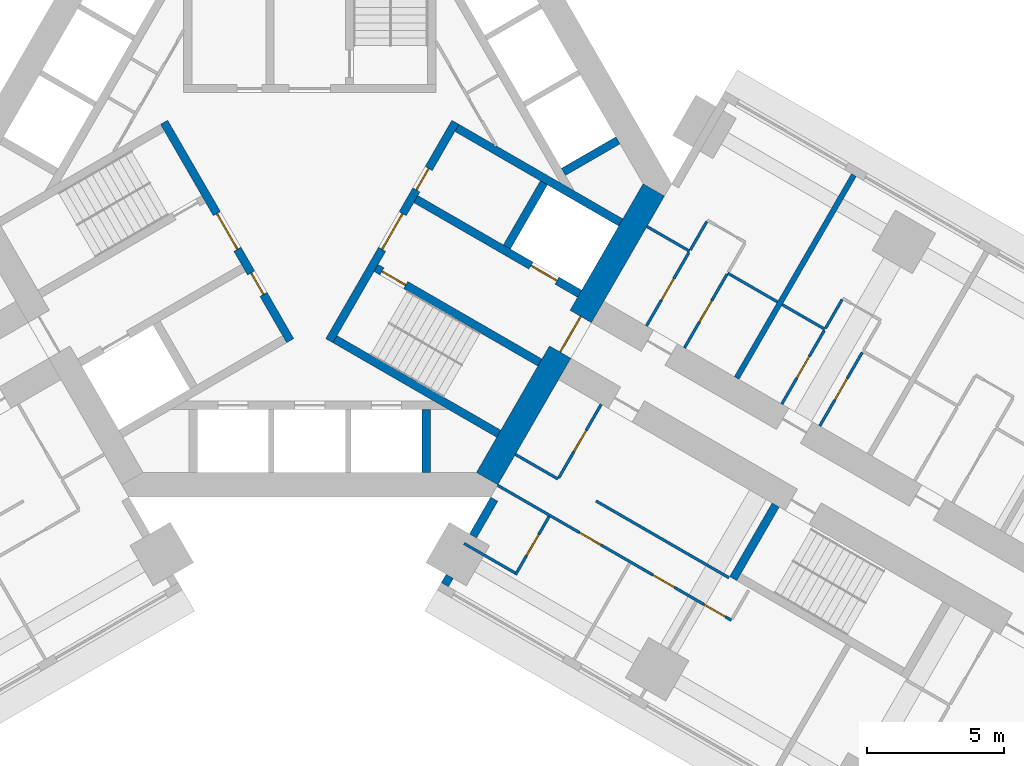
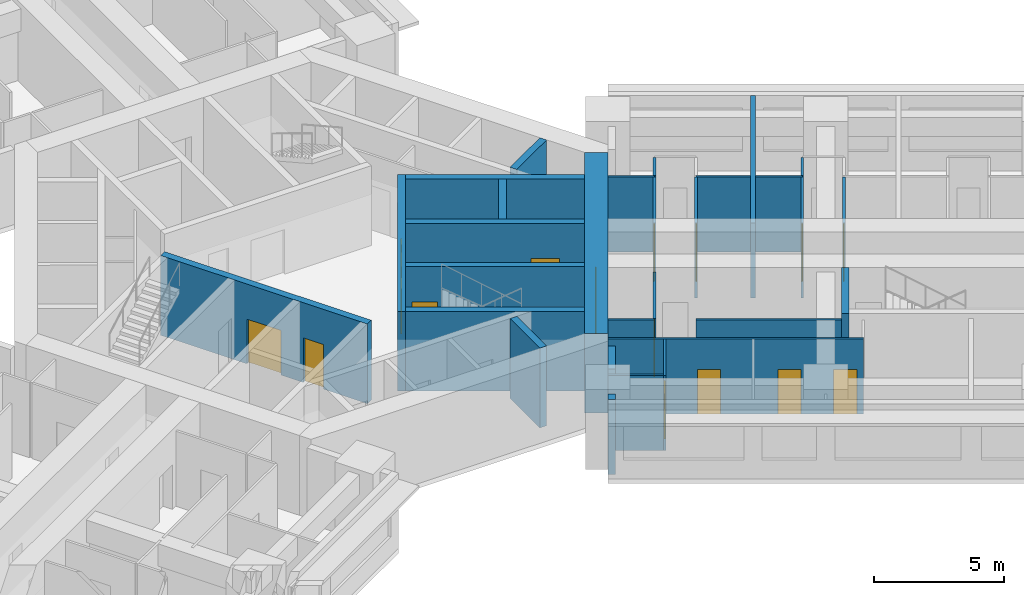
# One storey, part 7 of 16: 29 walls, 16 doors, 16 openings.
"""IFC4 building model written with IfcOpenShell, lengths in metres."""

from ifc_helpers import new_model, si_unit, direction, frame, frame_2d, origin, place, context, subcontext, project, spatial, rectangle, extrude, material, layer, layer_set, type_object, element, fill, save


model = new_model("IFC4")

# Units and contexts
model_context = context("Model", 3, precision=1e-05, world=origin(), true_north=direction((0.0, 1.0)))
body_context = subcontext(model_context, "Body", "Model", "MODEL_VIEW")
ifc_project = project(units=[si_unit("LENGTHUNIT", "METRE"), si_unit("AREAUNIT", "SQUARE_METRE"), si_unit("VOLUMEUNIT", "CUBIC_METRE"), si_unit("PLANEANGLEUNIT", "RADIAN"), si_unit("MASSUNIT", "GRAM", prefix="KILO")], contexts=[model_context])

# Site, building, storey
site_placement = place(None, origin())
site = spatial("IfcSite", under=ifc_project, at=site_placement, CompositionType="ELEMENT")
building_placement = place(site_placement, origin())
building = spatial("IfcBuilding", under=site, at=building_placement, Name="Impinga Residences", CompositionType="ELEMENT")
storey_placement = place(building_placement, frame((0.0, 0.0, 41.0)))
storey = spatial("IfcBuildingStorey", under=building, at=storey_placement, Name="L09", CompositionType="ELEMENT", Elevation=41.0)

# Walls
ifc_material_1 = material(Name="Terracotta rainscreen on blockwork", Category="masonry")
ifc_layer_1 = layer(ifc_material_1, 0.300048828125)
ifc_layer_set_1 = layer_set([ifc_layer_1], Name="EW1 external wall, terracotta rainscreen on blockwork 300")
wall_type_1 = type_object("IfcWallType", Name="EW1 external wall, terracotta rainscreen on blockwork 300", PredefinedType="SOLIDWALL", material=ifc_layer_set_1)
wall_1_placement = place(storey_placement, frame((4.929931640625, -14.624267578125, 0.0), z_axis=(0.0, 0.0, 1.0), x_axis=(0.49996389635, 0.866046247233, 0.0)))
element("IfcWall", 1, at=wall_1_placement, inside=storey, type_object=wall_type_1, Name="External wall EW1 L09", PredefinedType="SOLIDWALL", context=body_context, shape_type="SweptSolid", body=[
    extrude(rectangle(XDim=0.35009765625, YDim=0.300048828125, at=frame_2d((0.175048828125, 0.0))), origin(), (0.0, 0.0, 1.0), 3.530029296875),
])
wall_2_placement = place(storey_placement, frame((5.954833984375, -12.848876953125, 0.0), z_axis=(0.0, 0.0, 1.0), x_axis=(0.500086022567, 0.865975732936, 0.0)))
element("IfcWall", 2, at=wall_2_placement, inside=storey, type_object=wall_type_1, Name="External wall EW1 L09", PredefinedType="SOLIDWALL", context=body_context, shape_type="SweptSolid", body=[
    extrude(rectangle(XDim=1.550048828125, YDim=0.300048828125, at=frame_2d((0.77490234375, 0.0))), origin(), (0.0, 0.0, 1.0), 3.530029296875),
])
ifc_material_2 = material(Name="Gypsum board on steel studs", Category="steel")
ifc_layer_2 = layer(ifc_material_2, 0.10009765625)
ifc_layer_set_2 = layer_set([ifc_layer_2], Name="Gypsum board on steel studs")
wall_type_2 = type_object("IfcWallType", Name="IP1 partition 100", PredefinedType="PARTITIONING", material=ifc_layer_set_2)
wall_3_placement = place(storey_placement, frame((12.300048828125, -1.558837890625, 0.0), z_axis=(0.0, 0.0, 1.0), x_axis=(0.866047807691, -0.499961193289, 0.0)))
element("IfcWall", 3, at=wall_3_placement, inside=storey, type_object=wall_type_2, Name="Partition L09-EA1:DIV0", PredefinedType="PARTITIONING", context=body_context, shape_type="SweptSolid", body=[
    extrude(rectangle(XDim=1.800048828125, YDim=0.10009765625, at=frame_2d((0.89990234375, 0.0))), origin(), (0.0, 0.0, 1.0), 3.530029296875),
])
wall_4_placement = place(storey_placement, frame((15.244384765625, -3.2587890625, 0.0), z_axis=(0.0, 0.0, 1.0), x_axis=(0.866038466041, -0.499977374825, 0.0)))
element("IfcWall", 4, at=wall_4_placement, inside=storey, type_object=wall_type_2, Name="Partition L09-EA1:DIV1", PredefinedType="PARTITIONING", context=body_context, shape_type="SweptSolid", body=[
    extrude(rectangle(XDim=2.10009765625, YDim=0.10009765625, at=frame_2d((1.050048828125, 0.0))), origin(), (0.0, 0.0, 1.0), 3.530029296875),
])
wall_5_placement = place(storey_placement, frame((13.8837890625, -2.41552734375, 0.0), z_axis=(0.0, 0.0, 1.0), x_axis=(0.500033551112, 0.866006032174, 0.0)))
element("IfcWall", 5, at=wall_5_placement, inside=storey, type_object=wall_type_2, Name="Partition L09-EA1:SE0", PredefinedType="PARTITIONING", context=body_context, shape_type="SweptSolid", body=[
    extrude(rectangle(XDim=1.2001953125, YDim=0.10009765625, at=frame_2d((0.60009765625, 0.0))), origin(), (0.0, 0.0, 1.0), 3.530029296875),
])

# Wall, opening, door
wall_6_placement = place(storey_placement, frame((12.283935546875, -5.186767578125, 0.0), z_axis=(0.0, 0.0, 1.0), x_axis=(0.499967891604, 0.866043940782, 0.0)))
wall_6 = element("IfcWall", 6, at=wall_6_placement, inside=storey, type_object=wall_type_2, Name="Partition L09-EA1:IB1", PredefinedType="PARTITIONING", context=body_context, shape_type="SweptSolid", body=[
    extrude(rectangle(XDim=3.099853515625, YDim=0.10009765625, at=frame_2d((1.5498046875, 0.0))), origin(), (0.0, 0.0, 1.0), 3.530029296875),
])
opening_1_placement = place(wall_6_placement, frame((1.10009765625, 0.0, 0.0)))
opening_1 = element("IfcOpeningElement", 7, at=opening_1_placement, cuts=wall_6, Name="Opening D2", PredefinedType="OPENING", context=body_context, shape_type="SweptSolid", body=[
    extrude(rectangle(XDim=0.89990234375, YDim=2.10009765625, at=frame_2d((0.449951171875, 1.050048828125))), frame((0.0, 0.06005859375, 0.0), z_axis=(0.0, -1.0, 0.0), x_axis=(1.0, 0.0, 0.0)), (0.0, 0.0, 1.0), 0.1201171875),
])
ifc_material_3 = material(Name="Timber door set", Category="wood")
door_type_1 = type_object("IfcDoorType", Name="D2 internal door 900x2100", OperationType="SINGLE_SWING_LEFT", PredefinedType="DOOR", material=ifc_material_3)
door_1_placement = place(opening_1_placement, origin())
door_1 = element("IfcDoor", 8, at=door_1_placement, inside=storey, type_object=door_type_1, Name="Apartment L09-EA1 bathroom door", OperationType="SINGLE_SWING_LEFT", OverallHeight=2.10009765625, OverallWidth=0.89990234375, PredefinedType="DOOR", context=body_context, shape_type="SweptSolid", body=[
    extrude(rectangle(XDim=0.89990234375, YDim=2.10009765625, at=frame_2d((0.449951171875, 1.050048828125))), frame((0.0, 0.02490234375, 0.0), z_axis=(0.0, -1.0, 0.0), x_axis=(1.0, 0.0, 0.0)), (0.0, 0.0, 1.0), 0.050048828125),
])
fill(opening_1, door_1)

wall_7_placement = place(storey_placement, frame((13.66943359375, -5.98681640625, 0.0), z_axis=(0.0, 0.0, 1.0), x_axis=(0.500026960575, 0.86600983753, 0.0)))
wall_7 = element("IfcWall", 9, at=wall_7_placement, inside=storey, type_object=wall_type_2, Name="Partition L09-EA1:IB2", PredefinedType="PARTITIONING", context=body_context, shape_type="SweptSolid", body=[
    extrude(rectangle(XDim=3.099853515625, YDim=0.10009765625, at=frame_2d((1.5498046875, 0.0))), origin(), (0.0, 0.0, 1.0), 3.530029296875),
])
opening_2_placement = place(wall_7_placement, frame((1.10009765625, 0.0, 0.0)))
opening_2 = element("IfcOpeningElement", 10, at=opening_2_placement, cuts=wall_7, Name="Opening D2", PredefinedType="OPENING", context=body_context, shape_type="SweptSolid", body=[
    extrude(rectangle(XDim=0.89990234375, YDim=2.10009765625, at=frame_2d((0.449951171875, 1.050048828125))), frame((0.0, 0.06005859375, 0.0), z_axis=(0.0, -1.0, 0.0), x_axis=(1.0, 0.0, 0.0)), (0.0, 0.0, 1.0), 0.1201171875),
])
door_2_placement = place(opening_2_placement, origin())
door_2 = element("IfcDoor", 11, at=door_2_placement, inside=storey, type_object=door_type_1, Name="Apartment L09-EA1 WC door", OperationType="SINGLE_SWING_LEFT", OverallHeight=2.10009765625, OverallWidth=0.89990234375, PredefinedType="DOOR", context=body_context, shape_type="SweptSolid", body=[
    extrude(rectangle(XDim=0.89990234375, YDim=2.10009765625, at=frame_2d((0.449951171875, 1.050048828125))), frame((0.0, 0.02490234375, 0.0), z_axis=(0.0, -1.0, 0.0), x_axis=(1.0, 0.0, 0.0)), (0.0, 0.0, 1.0), 0.050048828125),
])
fill(opening_2, door_2)

# Walls
wall_8_placement = place(storey_placement, frame((17.236328125, -4.408935546875, 0.0), z_axis=(0.0, 0.0, 1.0), x_axis=(0.866047807691, -0.499961193289, 0.0)))
element("IfcWall", 12, at=wall_8_placement, inside=storey, type_object=wall_type_2, Name="Partition L09-EA2:DIV0", PredefinedType="PARTITIONING", context=body_context, shape_type="SweptSolid", body=[
    extrude(rectangle(XDim=1.800048828125, YDim=0.10009765625, at=frame_2d((0.89990234375, 0.0))), origin(), (0.0, 0.0, 1.0), 3.530029296875),
])
wall_9_placement = place(storey_placement, frame((18.8203125, -5.265625, 0.0), z_axis=(0.0, 0.0, 1.0), x_axis=(0.499880961361, 0.866094119867, 0.0)))
element("IfcWall", 13, at=wall_9_placement, inside=storey, type_object=wall_type_2, Name="Partition L09-EA2:SE0", PredefinedType="PARTITIONING", context=body_context, shape_type="SweptSolid", body=[
    extrude(rectangle(XDim=1.199951171875, YDim=0.10009765625, at=frame_2d((0.60009765625, 0.0))), origin(), (0.0, 0.0, 1.0), 3.530029296875),
])

# Wall, opening, door
wall_10_placement = place(storey_placement, frame((17.22021484375, -8.036865234375, 0.0), z_axis=(0.0, 0.0, 1.0), x_axis=(0.49999285859, 0.86602952684, 0.0)))
wall_10 = element("IfcWall", 14, at=wall_10_placement, inside=storey, type_object=wall_type_2, Name="Partition L09-EA2:IB1", PredefinedType="PARTITIONING", context=body_context, shape_type="SweptSolid", body=[
    extrude(rectangle(XDim=3.10009765625, YDim=0.10009765625, at=frame_2d((1.550048828125, 0.0))), origin(), (0.0, 0.0, 1.0), 3.530029296875),
])
opening_3_placement = place(wall_10_placement, frame((1.10009765625, 0.0, 0.0)))
opening_3 = element("IfcOpeningElement", 15, at=opening_3_placement, cuts=wall_10, Name="Opening D2", PredefinedType="OPENING", context=body_context, shape_type="SweptSolid", body=[
    extrude(rectangle(XDim=0.89990234375, YDim=2.10009765625, at=frame_2d((0.449951171875, 1.050048828125))), frame((0.0, 0.06005859375, 0.0), z_axis=(0.0, -1.0, 0.0), x_axis=(1.0, 0.0, 0.0)), (0.0, 0.0, 1.0), 0.1201171875),
])
door_3_placement = place(opening_3_placement, origin())
door_3 = element("IfcDoor", 16, at=door_3_placement, inside=storey, type_object=door_type_1, Name="Apartment L09-EA2 bathroom door", OperationType="SINGLE_SWING_LEFT", OverallHeight=2.10009765625, OverallWidth=0.89990234375, PredefinedType="DOOR", context=body_context, shape_type="SweptSolid", body=[
    extrude(rectangle(XDim=0.89990234375, YDim=2.10009765625, at=frame_2d((0.449951171875, 1.050048828125))), frame((0.0, 0.02490234375, 0.0), z_axis=(0.0, -1.0, 0.0), x_axis=(1.0, 0.0, 0.0)), (0.0, 0.0, 1.0), 0.050048828125),
])
fill(opening_3, door_3)

wall_11_placement = place(storey_placement, frame((18.605712890625, -8.8369140625, 0.0), z_axis=(0.0, 0.0, 1.0), x_axis=(0.49999285859, 0.86602952684, 0.0)))
wall_11 = element("IfcWall", 17, at=wall_11_placement, inside=storey, type_object=wall_type_2, Name="Partition L09-EA2:IB2", PredefinedType="PARTITIONING", context=body_context, shape_type="SweptSolid", body=[
    extrude(rectangle(XDim=3.10009765625, YDim=0.10009765625, at=frame_2d((1.550048828125, 0.0))), origin(), (0.0, 0.0, 1.0), 3.530029296875),
])
opening_4_placement = place(wall_11_placement, frame((1.10009765625, 0.0, 0.0)))
opening_4 = element("IfcOpeningElement", 18, at=opening_4_placement, cuts=wall_11, Name="Opening D2", PredefinedType="OPENING", context=body_context, shape_type="SweptSolid", body=[
    extrude(rectangle(XDim=0.89990234375, YDim=2.10009765625, at=frame_2d((0.449951171875, 1.050048828125))), frame((0.0, 0.06005859375, 0.0), z_axis=(0.0, -1.0, 0.0), x_axis=(1.0, 0.0, 0.0)), (0.0, 0.0, 1.0), 0.1201171875),
])
door_4_placement = place(opening_4_placement, origin())
door_4 = element("IfcDoor", 19, at=door_4_placement, inside=storey, type_object=door_type_1, Name="Apartment L09-EA2 WC door", OperationType="SINGLE_SWING_LEFT", OverallHeight=2.10009765625, OverallWidth=0.89990234375, PredefinedType="DOOR", context=body_context, shape_type="SweptSolid", body=[
    extrude(rectangle(XDim=0.89990234375, YDim=2.10009765625, at=frame_2d((0.449951171875, 1.050048828125))), frame((0.0, 0.02490234375, 0.0), z_axis=(0.0, -1.0, 0.0), x_axis=(1.0, 0.0, 0.0)), (0.0, 0.0, 1.0), 0.050048828125),
])
fill(opening_4, door_4)

# Walls
wall_12_placement = place(storey_placement, frame((7.5, -9.872802734375, 0.0), z_axis=(0.0, 0.0, 1.0), x_axis=(0.866047807691, -0.499961193289, 0.0)))
element("IfcWall", 20, at=wall_12_placement, inside=storey, type_object=wall_type_2, Name="Partition L09-EF1:DIV0", PredefinedType="PARTITIONING", context=body_context, shape_type="SweptSolid", body=[
    extrude(rectangle(XDim=1.800048828125, YDim=0.10009765625, at=frame_2d((0.89990234375, 0.0))), origin(), (0.0, 0.0, 1.0), 3.530029296875),
])
wall_13_placement = place(storey_placement, frame((10.444580078125, -11.57275390625, 0.0), z_axis=(0.0, 0.0, 1.0), x_axis=(0.866015695474, -0.500016814911, 0.0)))
element("IfcWall", 21, at=wall_13_placement, inside=storey, type_object=wall_type_2, Name="Partition L09-EF1:DIV1", PredefinedType="PARTITIONING", context=body_context, shape_type="SweptSolid", body=[
    extrude(rectangle(XDim=5.599853515625, YDim=0.10009765625, at=frame_2d((2.7998046875, 0.0))), origin(), (0.0, 0.0, 1.0), 3.530029296875),
])

# Wall, openings, doors
wall_14_placement = place(storey_placement, frame((6.85009765625, -10.99853515625, 0.0), z_axis=(0.0, 0.0, 1.0), x_axis=(0.866021308241, -0.500007093622, 0.0)))
wall_14 = element("IfcWall", 22, at=wall_14_placement, inside=storey, type_object=wall_type_2, Name="Partition L09-EF1:STRIP", PredefinedType="PARTITIONING", context=body_context, shape_type="SweptSolid", body=[
    extrude(rectangle(XDim=9.849853515625, YDim=0.10009765625, at=frame_2d((4.9248046875, 0.0))), origin(), (0.0, 0.0, 1.0), 3.530029296875),
])
opening_5_placement = place(wall_14_placement, frame((3.449951171875, 0.0, 0.0)))
opening_5 = element("IfcOpeningElement", 23, at=opening_5_placement, cuts=wall_14, Name="Opening D2", PredefinedType="OPENING", context=body_context, shape_type="SweptSolid", body=[
    extrude(rectangle(XDim=0.89990234375, YDim=2.10009765625, at=frame_2d((0.449951171875, 1.050048828125))), frame((0.0, 0.06005859375, 0.0), z_axis=(0.0, -1.0, 0.0), x_axis=(1.0, 0.0, 0.0)), (0.0, 0.0, 1.0), 0.1201171875),
])
opening_6_placement = place(wall_14_placement, frame((6.550048828125, 0.0, 0.0)))
opening_6 = element("IfcOpeningElement", 24, at=opening_6_placement, cuts=wall_14, Name="Opening D2", PredefinedType="OPENING", context=body_context, shape_type="SweptSolid", body=[
    extrude(rectangle(XDim=0.89990234375, YDim=2.10009765625, at=frame_2d((0.449951171875, 1.050048828125))), frame((0.0, 0.06005859375, 0.0), z_axis=(0.0, -1.0, 0.0), x_axis=(1.0, 0.0, 0.0)), (0.0, 0.0, 1.0), 0.1201171875),
])
opening_7_placement = place(wall_14_placement, frame((8.699951171875, 0.0, 0.0)))
opening_7 = element("IfcOpeningElement", 25, at=opening_7_placement, cuts=wall_14, Name="Opening D2", PredefinedType="OPENING", context=body_context, shape_type="SweptSolid", body=[
    extrude(rectangle(XDim=0.89990234375, YDim=2.10009765625, at=frame_2d((0.449951171875, 1.050048828125))), frame((0.0, 0.06005859375, 0.0), z_axis=(0.0, -1.0, 0.0), x_axis=(1.0, 0.0, 0.0)), (0.0, 0.0, 1.0), 0.1201171875),
])
door_5_placement = place(opening_5_placement, origin())
door_5 = element("IfcDoor", 26, at=door_5_placement, inside=storey, type_object=door_type_1, Name="Apartment L09-EF1 room door", OperationType="SINGLE_SWING_LEFT", OverallHeight=2.10009765625, OverallWidth=0.89990234375, PredefinedType="DOOR", context=body_context, shape_type="SweptSolid", body=[
    extrude(rectangle(XDim=0.89990234375, YDim=2.10009765625, at=frame_2d((0.449951171875, 1.050048828125))), frame((0.0, 0.02490234375, 0.0), z_axis=(0.0, -1.0, 0.0), x_axis=(1.0, 0.0, 0.0)), (0.0, 0.0, 1.0), 0.050048828125),
])
fill(opening_5, door_5)
door_6_placement = place(opening_6_placement, origin())
door_6 = element("IfcDoor", 27, at=door_6_placement, inside=storey, type_object=door_type_1, Name="Apartment L09-EF1 room door", OperationType="SINGLE_SWING_RIGHT", OverallHeight=2.10009765625, OverallWidth=0.89990234375, PredefinedType="DOOR", context=body_context, shape_type="SweptSolid", body=[
    extrude(rectangle(XDim=0.89990234375, YDim=2.10009765625, at=frame_2d((0.449951171875, 1.050048828125))), frame((0.0, 0.02490234375, 0.0), z_axis=(0.0, -1.0, 0.0), x_axis=(1.0, 0.0, 0.0)), (0.0, 0.0, 1.0), 0.050048828125),
])
fill(opening_6, door_6)
door_7_placement = place(opening_7_placement, origin())
door_7 = element("IfcDoor", 28, at=door_7_placement, inside=storey, type_object=door_type_1, Name="Apartment L09-EF1 room door", OperationType="SINGLE_SWING_RIGHT", OverallHeight=2.10009765625, OverallWidth=0.89990234375, PredefinedType="DOOR", context=body_context, shape_type="SweptSolid", body=[
    extrude(rectangle(XDim=0.89990234375, YDim=2.10009765625, at=frame_2d((0.449951171875, 1.050048828125))), frame((0.0, 0.02490234375, 0.0), z_axis=(0.0, -1.0, 0.0), x_axis=(1.0, 0.0, 0.0)), (0.0, 0.0, 1.0), 0.050048828125),
])
fill(opening_7, door_7)

# Wall, opening, door
wall_15_placement = place(storey_placement, frame((10.6337890625, -8.044677734375, 0.0), z_axis=(0.0, 0.0, 1.0), x_axis=(-0.49999285859, -0.86602952684, 0.0)))
wall_15 = element("IfcWall", 29, at=wall_15_placement, inside=storey, type_object=wall_type_2, Name="Partition L09-EF1:IB1", PredefinedType="PARTITIONING", context=body_context, shape_type="SweptSolid", body=[
    extrude(rectangle(XDim=3.10009765625, YDim=0.10009765625, at=frame_2d((1.550048828125, 0.0))), origin(), (0.0, 0.0, 1.0), 3.530029296875),
])
opening_8_placement = place(wall_15_placement, frame((1.10009765625, 0.0, 0.0)))
opening_8 = element("IfcOpeningElement", 30, at=opening_8_placement, cuts=wall_15, Name="Opening D2", PredefinedType="OPENING", context=body_context, shape_type="SweptSolid", body=[
    extrude(rectangle(XDim=0.89990234375, YDim=2.10009765625, at=frame_2d((0.449951171875, 1.050048828125))), frame((0.0, 0.06005859375, 0.0), z_axis=(0.0, -1.0, 0.0), x_axis=(1.0, 0.0, 0.0)), (0.0, 0.0, 1.0), 0.1201171875),
])
door_8_placement = place(opening_8_placement, origin())
door_8 = element("IfcDoor", 31, at=door_8_placement, inside=storey, type_object=door_type_1, Name="Apartment L09-EF1 bathroom door", OperationType="SINGLE_SWING_LEFT", OverallHeight=2.10009765625, OverallWidth=0.89990234375, PredefinedType="DOOR", context=body_context, shape_type="SweptSolid", body=[
    extrude(rectangle(XDim=0.89990234375, YDim=2.10009765625, at=frame_2d((0.449951171875, 1.050048828125))), frame((0.0, 0.02490234375, 0.0), z_axis=(0.0, -1.0, 0.0), x_axis=(1.0, 0.0, 0.0)), (0.0, 0.0, 1.0), 0.050048828125),
])
fill(opening_8, door_8)

wall_16_placement = place(storey_placement, frame((8.730224609375, -12.141845703125, 0.0), z_axis=(0.0, 0.0, 1.0), x_axis=(-0.499943856944, -0.866057815567, 0.0)))
wall_16 = element("IfcWall", 32, at=wall_16_placement, inside=storey, type_object=wall_type_2, Name="Partition L09-EF1:EN1", PredefinedType="PARTITIONING", context=body_context, shape_type="SweptSolid", body=[
    extrude(rectangle(XDim=2.449951171875, YDim=0.10009765625, at=frame_2d((1.22509765625, 0.0))), origin(), (0.0, 0.0, 1.0), 3.530029296875),
])
opening_9_placement = place(wall_16_placement, frame((0.75, 0.0, 0.0)))
opening_9 = element("IfcOpeningElement", 33, at=opening_9_placement, cuts=wall_16, Name="Opening D2", PredefinedType="OPENING", context=body_context, shape_type="SweptSolid", body=[
    extrude(rectangle(XDim=0.89990234375, YDim=2.10009765625, at=frame_2d((0.449951171875, 1.050048828125))), frame((0.0, 0.06005859375, 0.0), z_axis=(0.0, -1.0, 0.0), x_axis=(1.0, 0.0, 0.0)), (0.0, 0.0, 1.0), 0.1201171875),
])
door_9_placement = place(opening_9_placement, origin())
door_9 = element("IfcDoor", 34, at=door_9_placement, inside=storey, type_object=door_type_1, Name="Apartment L09-EF1 en-suite door", OperationType="SINGLE_SWING_LEFT", OverallHeight=2.10009765625, OverallWidth=0.89990234375, PredefinedType="DOOR", context=body_context, shape_type="SweptSolid", body=[
    extrude(rectangle(XDim=0.89990234375, YDim=2.10009765625, at=frame_2d((0.449951171875, 1.050048828125))), frame((0.0, 0.02490234375, 0.0), z_axis=(0.0, -1.0, 0.0), x_axis=(1.0, 0.0, 0.0)), (0.0, 0.0, 1.0), 0.050048828125),
])
fill(opening_9, door_9)

# Walls
wall_17_placement = place(storey_placement, frame((5.625, -13.120361328125, 0.0), z_axis=(0.0, 0.0, 1.0), x_axis=(0.866047553582, -0.499961633463, 0.0)))
element("IfcWall", 35, at=wall_17_placement, inside=storey, type_object=wall_type_2, Name="Partition L09-EF1:EN2", PredefinedType="PARTITIONING", context=body_context, shape_type="SweptSolid", body=[
    extrude(rectangle(XDim=2.150146484375, YDim=0.10009765625, at=frame_2d((1.0751953125, 0.0))), origin(), (0.0, 0.0, 1.0), 3.530029296875),
])
ifc_material_4 = material(Name="Concrete blockwork", Category="masonry")
ifc_layer_3 = layer(ifc_material_4, 0.199951171875)
ifc_layer_set_3 = layer_set([ifc_layer_3], Name="PW1 party wall between apartments 200")
wall_type_3 = type_object("IfcWallType", Name="PW1 party wall between apartments 200", PredefinedType="SOLIDWALL", material=ifc_layer_set_3)
wall_18_placement = place(storey_placement, frame((15.57470703125, -7.0869140625, 0.0), z_axis=(0.0, 0.0, 1.0), x_axis=(0.500011643316, 0.866018681408, 0.0)))
element("IfcWall", 36, at=wall_18_placement, inside=storey, type_object=wall_type_3, Name="Party wall between apartments L09-EA1:PARTY", PredefinedType="SOLIDWALL", context=body_context, shape_type="SweptSolid", body=[
    extrude(rectangle(XDim=8.550048828125, YDim=0.199951171875, at=frame_2d((4.27490234375, 0.0))), origin(), (0.0, 0.0, 1.0), 3.530029296875),
])
ifc_material_5 = material(Name="Concrete C60/75", Category="concrete")
ifc_layer_4 = layer(ifc_material_5, 0.300048828125)
ifc_layer_set_4 = layer_set([ifc_layer_4], Name="Concrete C60/75")
wall_type_4 = type_object("IfcWallType", Name="SE1 wing stair enclosure wall 300", PredefinedType="SOLIDWALL", material=ifc_layer_set_4)
wall_19_placement = place(storey_placement, frame((16.9990234375, -11.7197265625, 0.0), z_axis=(0.0, 0.0, 1.0), x_axis=(-0.499967891604, -0.866043940782, 0.0)))
element("IfcWall", 37, at=wall_19_placement, inside=storey, type_object=wall_type_4, Name="Stair enclosure wall SE1 E END0 L09", PredefinedType="SOLIDWALL", context=body_context, shape_type="SweptSolid", body=[
    extrude(rectangle(XDim=3.099853515625, YDim=0.300048828125, at=frame_2d((1.5498046875, 0.0))), origin(), (0.0, 0.0, 1.0), 3.75),
])

# Wall, opening, door
ifc_material_6 = material(Name="Concrete C70/85", Category="concrete")
ifc_layer_5 = layer(ifc_material_6, 0.89990234375)
ifc_layer_set_5 = layer_set([ifc_layer_5], Name="Concrete C70/85")
wall_type_5 = type_object("IfcWallType", Name="SW1 core wall 900", PredefinedType="SHEAR", material=ifc_layer_set_5)
wall_20_placement = place(storey_placement, frame((12.550537109375, -0.22509765625, 0.0), z_axis=(0.0, 0.0, 1.0), x_axis=(-0.499997612506, -0.8660267822, 0.0)))
wall_20 = element("IfcWall", 38, at=wall_20_placement, inside=storey, type_object=wall_type_5, Name="Core wall SW1 E:FACE L09", PredefinedType="SHEAR", context=body_context, shape_type="SweptSolid", body=[
    extrude(rectangle(XDim=12.16064453125, YDim=0.89990234375, at=frame_2d((6.080322265625, 0.0))), origin(), (0.0, 0.0, 1.0), 3.75),
])
opening_10_placement = place(wall_20_placement, frame((5.330322265625, 0.0, 0.0)))
opening_10 = element("IfcOpeningElement", 39, at=opening_10_placement, cuts=wall_20, Name="Opening D4", PredefinedType="OPENING", context=body_context, shape_type="SweptSolid", body=[
    extrude(rectangle(XDim=1.5, YDim=2.10009765625, at=frame_2d((0.75, 1.050048828125))), frame((0.0, 0.4599609375, 0.0), z_axis=(0.0, -1.0, 0.0), x_axis=(1.0, 0.0, 0.0)), (0.0, 0.0, 1.0), 0.919921875),
])
door_type_2 = type_object("IfcDoorType", Name="D4 lobby door pair 1500x2100", OperationType="DOUBLE_DOOR_DOUBLE_SWING", PredefinedType="DOOR", material=ifc_material_3)
door_10_placement = place(opening_10_placement, origin())
door_10 = element("IfcDoor", 40, at=door_10_placement, inside=storey, type_object=door_type_2, Name="Lobby door E", OperationType="DOUBLE_DOOR_DOUBLE_SWING", OverallHeight=2.10009765625, OverallWidth=1.5, PredefinedType="DOOR", context=body_context, shape_type="SweptSolid", body=[
    extrude(rectangle(XDim=1.5, YDim=2.10009765625, at=frame_2d((0.75, 1.050048828125))), frame((0.0, 0.02490234375, 0.0), z_axis=(0.0, -1.0, 0.0), x_axis=(1.0, 0.0, 0.0)), (0.0, 0.0, 1.0), 0.050048828125),
])
fill(opening_10, door_10)

# Wall, openings, doors
ifc_layer_6 = layer(ifc_material_6, 0.300048828125)
ifc_layer_set_6 = layer_set([ifc_layer_6], Name="Concrete C70/85")
wall_type_6 = type_object("IfcWallType", Name="SW5 core inner wall, stairs, shafts and lobbies 300", PredefinedType="SHEAR", material=ifc_layer_set_6)
wall_21_placement = place(storey_placement, frame((-0.7138671875, -5.7236328125, 0.0), z_axis=(0.0, 0.0, 1.0), x_axis=(-0.499995050369, 0.866028261437, 0.0)))
wall_21 = element("IfcWall", 41, at=wall_21_placement, inside=storey, type_object=wall_type_6, Name="Core wall SW5 W:ZONE L09", PredefinedType="SHEAR", context=body_context, shape_type="SweptSolid", body=[
    extrude(rectangle(XDim=9.19970703125, YDim=0.300048828125, at=frame_2d((4.599853515625, 0.0))), origin(), (0.0, 0.0, 1.0), 3.75),
])
opening_11_placement = place(wall_21_placement, frame((3.85009765625, 0.0, 0.0)))
opening_11 = element("IfcOpeningElement", 42, at=opening_11_placement, cuts=wall_21, Name="Opening D4", PredefinedType="OPENING", context=body_context, shape_type="SweptSolid", body=[
    extrude(rectangle(XDim=1.5, YDim=2.10009765625, at=frame_2d((0.75, 1.050048828125))), frame((0.0, 0.159912109375, 0.0), z_axis=(0.0, -1.0, 0.0), x_axis=(1.0, 0.0, 0.0)), (0.0, 0.0, 1.0), 0.320068359375),
])
opening_12_placement = place(wall_21_placement, frame((1.949951171875, 0.0, 0.0)))
opening_12 = element("IfcOpeningElement", 43, at=opening_12_placement, cuts=wall_21, Name="Opening D6", PredefinedType="OPENING", context=body_context, shape_type="SweptSolid", body=[
    extrude(rectangle(XDim=0.89990234375, YDim=2.10009765625, at=frame_2d((0.449951171875, 1.050048828125))), frame((0.0, 0.159912109375, 0.0), z_axis=(0.0, -1.0, 0.0), x_axis=(1.0, 0.0, 0.0)), (0.0, 0.0, 1.0), 0.320068359375),
])
door_11_placement = place(opening_11_placement, origin())
door_11 = element("IfcDoor", 44, at=door_11_placement, inside=storey, type_object=door_type_2, Name="Firefighting lobby door W", OperationType="DOUBLE_DOOR_DOUBLE_SWING", OverallHeight=2.10009765625, OverallWidth=1.5, PredefinedType="DOOR", context=body_context, shape_type="SweptSolid", body=[
    extrude(rectangle(XDim=1.5, YDim=2.10009765625, at=frame_2d((0.75, 1.050048828125))), frame((0.0, 0.02490234375, 0.0), z_axis=(0.0, -1.0, 0.0), x_axis=(1.0, 0.0, 0.0)), (0.0, 0.0, 1.0), 0.050048828125),
])
fill(opening_11, door_11)
door_type_3 = type_object("IfcDoorType", Name="D6 riser and store door 900x2100", OperationType="SINGLE_SWING_LEFT", PredefinedType="DOOR", material=ifc_material_3)
door_12_placement = place(opening_12_placement, origin())
door_12 = element("IfcDoor", 45, at=door_12_placement, inside=storey, type_object=door_type_3, Name="Riser door W", OperationType="SINGLE_SWING_LEFT", OverallHeight=2.10009765625, OverallWidth=0.89990234375, PredefinedType="DOOR", context=body_context, shape_type="SweptSolid", body=[
    extrude(rectangle(XDim=0.89990234375, YDim=2.10009765625, at=frame_2d((0.449951171875, 1.050048828125))), frame((0.0, 0.02490234375, 0.0), z_axis=(0.0, -1.0, 0.0), x_axis=(1.0, 0.0, 0.0)), (0.0, 0.0, 1.0), 0.050048828125),
])
fill(opening_12, door_12)

wall_22_placement = place(storey_placement, frame((5.313720703125, 2.24365234375, 0.0), z_axis=(0.0, 0.0, 1.0), x_axis=(-0.499995050369, -0.866028261437, 0.0)))
wall_22 = element("IfcWall", 46, at=wall_22_placement, inside=storey, type_object=wall_type_6, Name="Core wall SW5 E:ZONE L09", PredefinedType="SHEAR", context=body_context, shape_type="SweptSolid", body=[
    extrude(rectangle(XDim=9.19970703125, YDim=0.300048828125, at=frame_2d((4.599853515625, 0.0))), origin(), (0.0, 0.0, 1.0), 3.75),
])
opening_13_placement = place(wall_22_placement, frame((3.85009765625, 0.0, 0.0)))
opening_13 = element("IfcOpeningElement", 47, at=opening_13_placement, cuts=wall_22, Name="Opening D4", PredefinedType="OPENING", context=body_context, shape_type="SweptSolid", body=[
    extrude(rectangle(XDim=1.5, YDim=2.10009765625, at=frame_2d((0.75, 1.050048828125))), frame((0.0, 0.159912109375, 0.0), z_axis=(0.0, -1.0, 0.0), x_axis=(1.0, 0.0, 0.0)), (0.0, 0.0, 1.0), 0.320068359375),
])
opening_14_placement = place(wall_22_placement, frame((1.949951171875, 0.0, 0.0)))
opening_14 = element("IfcOpeningElement", 48, at=opening_14_placement, cuts=wall_22, Name="Opening D6", PredefinedType="OPENING", context=body_context, shape_type="SweptSolid", body=[
    extrude(rectangle(XDim=0.89990234375, YDim=2.10009765625, at=frame_2d((0.449951171875, 1.050048828125))), frame((0.0, 0.159912109375, 0.0), z_axis=(0.0, -1.0, 0.0), x_axis=(1.0, 0.0, 0.0)), (0.0, 0.0, 1.0), 0.320068359375),
])
door_13_placement = place(opening_13_placement, origin())
door_13 = element("IfcDoor", 49, at=door_13_placement, inside=storey, type_object=door_type_2, Name="Firefighting lobby door E", OperationType="DOUBLE_DOOR_DOUBLE_SWING", OverallHeight=2.10009765625, OverallWidth=1.5, PredefinedType="DOOR", context=body_context, shape_type="SweptSolid", body=[
    extrude(rectangle(XDim=1.5, YDim=2.10009765625, at=frame_2d((0.75, 1.050048828125))), frame((0.0, 0.02490234375, 0.0), z_axis=(0.0, -1.0, 0.0), x_axis=(1.0, 0.0, 0.0)), (0.0, 0.0, 1.0), 0.050048828125),
])
fill(opening_13, door_13)
door_14_placement = place(opening_14_placement, origin())
door_14 = element("IfcDoor", 50, at=door_14_placement, inside=storey, type_object=door_type_3, Name="Riser door E", OperationType="SINGLE_SWING_LEFT", OverallHeight=2.10009765625, OverallWidth=0.89990234375, PredefinedType="DOOR", context=body_context, shape_type="SweptSolid", body=[
    extrude(rectangle(XDim=0.89990234375, YDim=2.10009765625, at=frame_2d((0.449951171875, 1.050048828125))), frame((0.0, 0.02490234375, 0.0), z_axis=(0.0, -1.0, 0.0), x_axis=(1.0, 0.0, 0.0)), (0.0, 0.0, 1.0), 0.050048828125),
])
fill(opening_14, door_14)

# Wall, opening, door
wall_23_placement = place(storey_placement, frame((2.418701171875, -3.07080078125, 0.0), z_axis=(0.0, 0.0, 1.0), x_axis=(0.86602711848, -0.499997030048, 0.0)))
wall_23 = element("IfcWall", 51, at=wall_23_placement, inside=storey, type_object=wall_type_6, Name="Core wall SW5 E:ST-IN L09", PredefinedType="SHEAR", context=body_context, shape_type="SweptSolid", body=[
    extrude(rectangle(XDim=6.9013671875, YDim=0.300048828125, at=frame_2d((3.45068359375, 0.0))), origin(), (0.0, 0.0, 1.0), 3.75),
])
opening_15_placement = place(wall_23_placement, frame((0.25, 0.0, 0.0)))
opening_15 = element("IfcOpeningElement", 52, at=opening_15_placement, cuts=wall_23, Name="Opening D5", PredefinedType="OPENING", context=body_context, shape_type="SweptSolid", body=[
    extrude(rectangle(XDim=1.0, YDim=2.10009765625, at=frame_2d((0.5, 1.050048828125))), frame((0.0, 0.159912109375, 0.0), z_axis=(0.0, -1.0, 0.0), x_axis=(1.0, 0.0, 0.0)), (0.0, 0.0, 1.0), 0.320068359375),
])
door_type_4 = type_object("IfcDoorType", Name="D5 stair door 1000x2100", OperationType="SINGLE_SWING_LEFT", PredefinedType="DOOR", material=ifc_material_3)
door_15_placement = place(opening_15_placement, origin())
door_15 = element("IfcDoor", 53, at=door_15_placement, inside=storey, type_object=door_type_4, Name="Stair door E", OperationType="SINGLE_SWING_LEFT", OverallHeight=2.10009765625, OverallWidth=1.0, PredefinedType="DOOR", context=body_context, shape_type="SweptSolid", body=[
    extrude(rectangle(XDim=1.0, YDim=2.10009765625, at=frame_2d((0.5, 1.050048828125))), frame((0.0, 0.02490234375, 0.0), z_axis=(0.0, -1.0, 0.0), x_axis=(1.0, 0.0, 0.0)), (0.0, 0.0, 1.0), 0.050048828125),
])
fill(opening_15, door_15)

# Wall
wall_24_placement = place(storey_placement, frame((0.918701171875, -5.668701171875, 0.0), z_axis=(0.0, 0.0, 1.0), x_axis=(0.866011800373, -0.500023561059, 0.0)))
element("IfcWall", 54, at=wall_24_placement, inside=storey, type_object=wall_type_6, Name="Core wall SW5 E:ST-OUT L09", PredefinedType="SHEAR", context=body_context, shape_type="SweptSolid", body=[
    extrude(rectangle(XDim=6.901611328125, YDim=0.300048828125, at=frame_2d((3.45068359375, 0.0))), origin(), (0.0, 0.0, 1.0), 3.75),
])

# Wall, opening, door
wall_25_placement = place(storey_placement, frame((3.86865234375, -0.559326171875, 0.0), z_axis=(0.0, 0.0, 1.0), x_axis=(0.86602711848, -0.499997030048, 0.0)))
wall_25 = element("IfcWall", 55, at=wall_25_placement, inside=storey, type_object=wall_type_6, Name="Core wall SW5 E:FF-IN L09", PredefinedType="SHEAR", context=body_context, shape_type="SweptSolid", body=[
    extrude(rectangle(XDim=6.9013671875, YDim=0.300048828125, at=frame_2d((3.45068359375, 0.0))), origin(), (0.0, 0.0, 1.0), 3.75),
])
opening_16_placement = place(wall_25_placement, frame((4.85009765625, 0.0, 0.0)))
opening_16 = element("IfcOpeningElement", 56, at=opening_16_placement, cuts=wall_25, Name="Opening LD2", PredefinedType="OPENING", context=body_context, shape_type="SweptSolid", body=[
    extrude(rectangle(XDim=1.10009765625, YDim=2.10009765625, at=frame_2d((0.550048828125, 1.050048828125))), frame((0.0, 0.159912109375, 0.0), z_axis=(0.0, -1.0, 0.0), x_axis=(1.0, 0.0, 0.0)), (0.0, 0.0, 1.0), 0.320068359375),
])
ifc_material_7 = material(Name="Steel lift landing door", Category="steel")
door_type_5 = type_object("IfcDoorType", Name="LD2 firefighting lift landing door 1100x2100", OperationType="DOUBLE_DOOR_SLIDING", PredefinedType="DOOR", material=ifc_material_7)
door_16_placement = place(opening_16_placement, origin())
door_16 = element("IfcDoor", 57, at=door_16_placement, inside=storey, type_object=door_type_5, Name="Firefighting lift landing door F3", OperationType="DOUBLE_DOOR_SLIDING", OverallHeight=2.10009765625, OverallWidth=1.10009765625, PredefinedType="DOOR", context=body_context, shape_type="SweptSolid", body=[
    extrude(rectangle(XDim=1.10009765625, YDim=2.10009765625, at=frame_2d((0.550048828125, 1.050048828125))), frame((0.0, 0.02490234375, 0.0), z_axis=(0.0, -1.0, 0.0), x_axis=(1.0, 0.0, 0.0)), (0.0, 0.0, 1.0), 0.050048828125),
])
fill(opening_16, door_16)

# Walls
wall_26_placement = place(storey_placement, frame((5.36865234375, 2.038818359375, 0.0), z_axis=(0.0, 0.0, 1.0), x_axis=(0.86602711848, -0.499997030048, 0.0)))
element("IfcWall", 58, at=wall_26_placement, inside=storey, type_object=wall_type_6, Name="Core wall SW5 E:FF-OUT L09", PredefinedType="SHEAR", context=body_context, shape_type="SweptSolid", body=[
    extrude(rectangle(XDim=6.9013671875, YDim=0.300048828125, at=frame_2d((3.45068359375, 0.0))), origin(), (0.0, 0.0, 1.0), 3.75),
])
wall_27_placement = place(storey_placement, frame((8.541259765625, 0.033935546875, 0.0), z_axis=(0.0, 0.0, 1.0), x_axis=(-0.50000943426, -0.866019956843, 0.0)))
element("IfcWall", 59, at=wall_27_placement, inside=storey, type_object=wall_type_6, Name="Core wall SW5 E:FF-RS L09", PredefinedType="SHEAR", context=body_context, shape_type="SweptSolid", body=[
    extrude(rectangle(XDim=2.7001953125, YDim=0.300048828125, at=frame_2d((1.35009765625, 0.0))), origin(), (0.0, 0.0, 1.0), 3.75),
])
for number, where, z_axis, x_axis, name in (
    (60, (4.25, -8.2314453125, 0.0), (0.0, 0.0, 1.0), (0.0, -1.0, 0.0), "Core wall SW5 N:BANK-L L09"),
    (61, (9.253662109375, 0.43505859375, 0.0), (0.0, 0.0, 1.0), (0.866007057882, 0.500031774688, 0.0), "Core wall SW5 W:BANK-R L09"),
):
    element("IfcWall", number, at=place(storey_placement, frame(where, z_axis=z_axis, x_axis=x_axis)), inside=storey, type_object=wall_type_6, Name=name, PredefinedType="SHEAR", context=body_context, shape_type="SweptSolid", body=[
        extrude(rectangle(XDim=2.300048828125, YDim=0.300048828125, at=frame_2d((1.14990234375, 0.0))), origin(), (0.0, 0.0, 1.0), 3.75),
    ])

save(model, "model.ifc")
